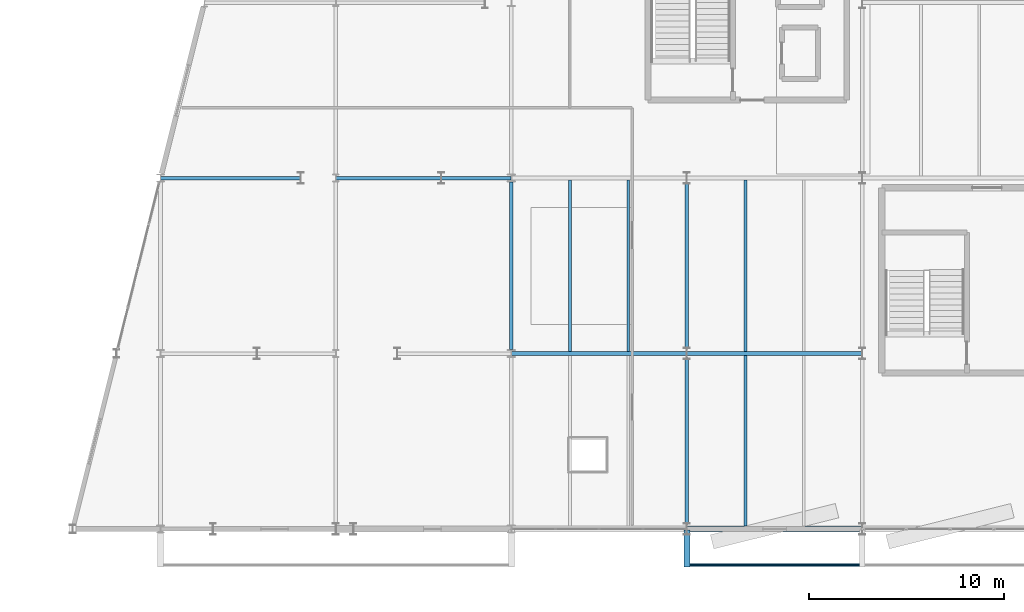
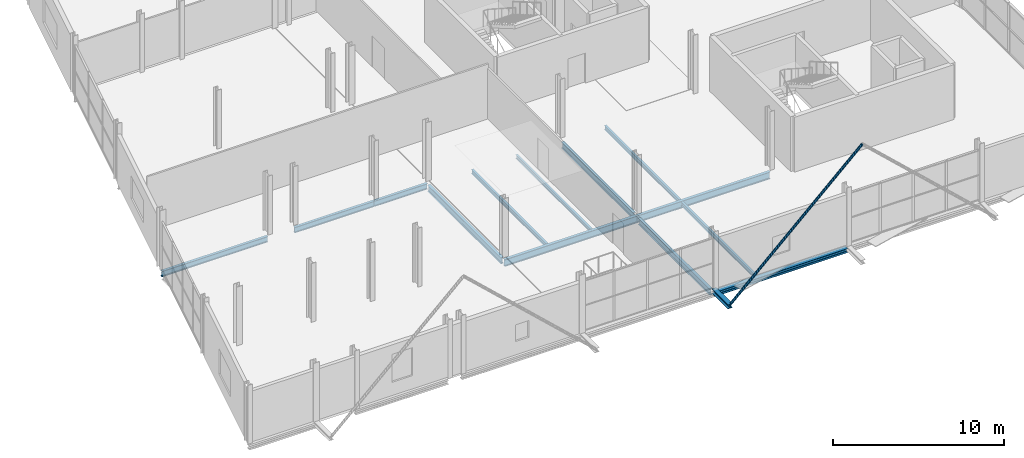
# One storey, part 43 of 103: 14 beams, 1 member.
"""IFC4 building model written with IfcOpenShell, lengths in metres."""

from ifc_helpers import new_model, si_unit, direction, frame, origin, origin_2d, place, context, subcontext, project, spatial, hollow_circle, i_section, extrude, material, material_profile, profile_set, type_object, element, save


model = new_model("IFC4")

# Units and contexts
model_context = context("Model", 3, precision=1e-05, world=origin(), true_north=direction((0.0, 1.0)))
body_context = subcontext(model_context, "Body", "Model", "MODEL_VIEW")
ifc_project = project(units=[si_unit("LENGTHUNIT", "METRE"), si_unit("AREAUNIT", "SQUARE_METRE"), si_unit("VOLUMEUNIT", "CUBIC_METRE"), si_unit("PLANEANGLEUNIT", "RADIAN"), si_unit("MASSUNIT", "GRAM", prefix="KILO")], contexts=[model_context])

# Site, building, storey
site_placement = place(None, origin())
site = spatial("IfcSite", under=ifc_project, at=site_placement, CompositionType="ELEMENT")
building_placement = place(site_placement, origin())
building = spatial("IfcBuilding", under=site, at=building_placement, Name="Deido Ridge Mobility Hub", CompositionType="ELEMENT")
storey_placement = place(building_placement, frame((0.0, 0.0, 12.60009765625)))
storey = spatial("IfcBuildingStorey", under=building, at=storey_placement, Name="L03", CompositionType="ELEMENT", Elevation=12.60009765625)

# Beams
ifc_material_1 = material(Name="Steel S355J2 EN 10025-2", Category="steel")
ifc_material_profile_1 = material_profile(ifc_material_1, i_section(OverallWidth=0.179931640625, OverallDepth=0.39990234375, WebThickness=0.008544921875, FlangeThickness=0.013427734375, FilletRadius=0.02099609375, at=origin_2d()), Name="IPE 400")
ifc_profile_set_1 = profile_set([ifc_material_profile_1], Name="Steel S355J2 EN 10025-2")
beam_type_1 = type_object("IfcBeamType", Name="BM-IPE400", PredefinedType="BEAM", material=ifc_profile_set_1)
beam_1_placement = place(storey_placement, frame((126.0087890625, 18.0, -0.465087890625), z_axis=(1.0, 0.0, 0.0), x_axis=(0.0, 1.0, 0.0)))
element("IfcBeam", 1, at=beam_1_placement, inside=storey, type_object=beam_type_1, Name="Floor beam B5", PredefinedType="BEAM", context=body_context, shape_type="SweptSolid", body=[
    extrude(i_section(OverallWidth=0.179931640625, OverallDepth=0.39990234375, WebThickness=0.008544921875, FlangeThickness=0.013427734375, FilletRadius=0.02099609375, at=origin_2d()), origin(), (0.0, 0.0, 1.0), 7.18359375),
])
beam_2_placement = place(storey_placement, frame((135.0068359375, 18.0, -0.465087890625), z_axis=(1.0, 0.0, 0.0), x_axis=(0.0, 1.0, 0.0)))
element("IfcBeam", 2, at=beam_2_placement, inside=storey, type_object=beam_type_1, Name="Floor beam B5", PredefinedType="BEAM", context=body_context, shape_type="SweptSolid", body=[
    extrude(i_section(OverallWidth=0.179931640625, OverallDepth=0.39990234375, WebThickness=0.008544921875, FlangeThickness=0.013427734375, FilletRadius=0.02099609375, at=origin_2d()), origin(), (0.0, 0.0, 1.0), 5.385498046875),
])
beam_3_placement = place(storey_placement, frame((140.40771484375, 18.0, -0.465087890625), z_axis=(1.0, 0.0, 0.0), x_axis=(0.0, 1.0, 0.0)))
element("IfcBeam", 3, at=beam_3_placement, inside=storey, type_object=beam_type_1, Name="Floor beam B5", PredefinedType="BEAM", context=body_context, shape_type="SweptSolid", body=[
    extrude(i_section(OverallWidth=0.179931640625, OverallDepth=0.39990234375, WebThickness=0.008544921875, FlangeThickness=0.013427734375, FilletRadius=0.02099609375, at=origin_2d()), origin(), (0.0, 0.0, 1.0), 3.58349609375),
])
ifc_material_profile_2 = material_profile(ifc_material_1, i_section(OverallWidth=0.18994140625, OverallDepth=0.449951171875, WebThickness=0.009521484375, FlangeThickness=0.0146484375, FilletRadius=0.02099609375, at=origin_2d()), Name="IPE 450")
ifc_profile_set_2 = profile_set([ifc_material_profile_2], Name="Steel S355J2 EN 10025-2")
beam_type_2 = type_object("IfcBeamType", Name="BM-IPE450", PredefinedType="BEAM", material=ifc_profile_set_2)
beam_4_placement = place(storey_placement, frame((144.0, 9.196533203125, -0.489990234375), z_axis=(0.0, 1.0, 0.0), x_axis=(-1.0, 0.0, 0.0)))
element("IfcBeam", 4, at=beam_4_placement, inside=storey, type_object=beam_type_2, Name="Floor beam B4", PredefinedType="BEAM", context=body_context, shape_type="SweptSolid", body=[
    extrude(i_section(OverallWidth=0.18994140625, OverallDepth=0.449951171875, WebThickness=0.009521484375, FlangeThickness=0.0146484375, FilletRadius=0.02099609375, at=origin_2d()), origin(), (0.0, 0.0, 1.0), 8.60693359375),
])
for number, where, z_axis, x_axis, name in (
    (5, (153.0, 0.300048828125, -0.489990234375), (0.0, 1.0, 0.0), (-1.0, 0.0, 0.0), "Floor beam B4"),
    (6, (153.0, 9.300048828125, -0.489990234375), (0.0, 1.0, 0.0), (-1.0, 0.0, 0.0), "Floor beam B4"),
):
    element("IfcBeam", number, at=place(storey_placement, frame(where, z_axis=z_axis, x_axis=x_axis)), inside=storey, type_object=beam_type_2, Name=name, PredefinedType="BEAM", context=body_context, shape_type="SweptSolid", body=[
        extrude(i_section(OverallWidth=0.18994140625, OverallDepth=0.449951171875, WebThickness=0.009521484375, FlangeThickness=0.0146484375, FilletRadius=0.02099609375, at=origin_2d()), origin(), (0.0, 0.0, 1.0), 8.39990234375),
    ])
ifc_material_profile_3 = material_profile(ifc_material_1, i_section(OverallWidth=0.199951171875, OverallDepth=0.5, WebThickness=0.01025390625, FlangeThickness=0.01611328125, FilletRadius=0.02099609375, at=origin_2d()), Name="IPE 500")
ifc_profile_set_3 = profile_set([ifc_material_profile_3], Name="Steel S355J2 EN 10025-2")
beam_type_3 = type_object("IfcBeamType", Name="BM-IPE500", PredefinedType="BEAM", material=ifc_profile_set_3)
beam_5_placement = place(storey_placement, frame((144.0087890625, 9.0, -0.51513671875), z_axis=(1.0, 0.0, 0.0), x_axis=(0.0, 1.0, 0.0)))
element("IfcBeam", 7, at=beam_5_placement, inside=storey, type_object=beam_type_3, Name="Floor beam B3", PredefinedType="BEAM", context=body_context, shape_type="SweptSolid", body=[
    extrude(i_section(OverallWidth=0.199951171875, OverallDepth=0.5, WebThickness=0.01025390625, FlangeThickness=0.01611328125, FilletRadius=0.02099609375, at=origin_2d()), origin(), (0.0, 0.0, 1.0), 8.9833984375),
])
beam_6_placement = place(storey_placement, frame((153.0078125, 9.0, -0.51513671875), z_axis=(1.0, 0.0, 0.0), x_axis=(0.0, 1.0, 0.0)))
element("IfcBeam", 8, at=beam_6_placement, inside=storey, type_object=beam_type_3, Name="Floor beam B3", PredefinedType="BEAM", context=body_context, shape_type="SweptSolid", body=[
    extrude(i_section(OverallWidth=0.199951171875, OverallDepth=0.5, WebThickness=0.01025390625, FlangeThickness=0.01611328125, FilletRadius=0.02099609375, at=origin_2d()), origin(), (0.0, 0.0, 1.0), 8.984375),
])
ifc_material_profile_4 = material_profile(ifc_material_1, i_section(OverallWidth=0.135009765625, OverallDepth=0.27001953125, WebThickness=0.006591796875, FlangeThickness=0.01025390625, FilletRadius=0.014892578125, at=origin_2d()), Name="IPE 270")
ifc_profile_set_4 = profile_set([ifc_material_profile_4], Name="Steel S355J2 EN 10025-2")
beam_type_4 = type_object("IfcBeamType", Name="JST-IPE270", PredefinedType="JOIST", material=ifc_profile_set_4)
beam_7_placement = place(storey_placement, frame((150.0, 9.10009765625, -0.400146484375), z_axis=(0.0, 1.0, 0.0), x_axis=(-1.0, 0.0, 0.0)))
element("IfcBeam", 9, at=beam_7_placement, inside=storey, type_object=beam_type_4, Name="Composite joist J4", PredefinedType="JOIST", context=body_context, shape_type="SweptSolid", body=[
    extrude(i_section(OverallWidth=0.135009765625, OverallDepth=0.27001953125, WebThickness=0.006591796875, FlangeThickness=0.01025390625, FilletRadius=0.014892578125, at=origin_2d()), origin(), (0.0, 0.0, 1.0), 8.7998046875),
])
ifc_material_profile_5 = material_profile(ifc_material_1, i_section(OverallWidth=0.14990234375, OverallDepth=0.300048828125, WebThickness=0.007080078125, FlangeThickness=0.0107421875, FilletRadius=0.014892578125, at=origin_2d()), Name="IPE 300")
ifc_profile_set_5 = profile_set([ifc_material_profile_5], Name="Steel S355J2 EN 10025-2")
beam_type_5 = type_object("IfcBeamType", Name="JST-IPE300", PredefinedType="JOIST", material=ifc_profile_set_5)
beam_8_placement = place(storey_placement, frame((156.0, 0.14990234375, -0.4150390625), z_axis=(0.0, 1.0, 0.0), x_axis=(-1.0, 0.0, 0.0)))
element("IfcBeam", 10, at=beam_8_placement, inside=storey, type_object=beam_type_5, Name="Composite joist J3", PredefinedType="JOIST", context=body_context, shape_type="SweptSolid", body=[
    extrude(i_section(OverallWidth=0.14990234375, OverallDepth=0.300048828125, WebThickness=0.007080078125, FlangeThickness=0.0107421875, FilletRadius=0.014892578125, at=origin_2d()), origin(), (0.0, 0.0, 1.0), 8.75),
])
for number, where, z_axis, x_axis, name in (
    (11, (147.0, 9.10009765625, -0.4150390625), (0.0, 1.0, 0.0), (-1.0, 0.0, 0.0), "Composite joist J3"),
    (12, (156.0, 9.10009765625, -0.4150390625), (0.0, 1.0, 0.0), (-1.0, 0.0, 0.0), "Composite joist J3"),
):
    element("IfcBeam", number, at=place(storey_placement, frame(where, z_axis=z_axis, x_axis=x_axis)), inside=storey, type_object=beam_type_5, Name=name, PredefinedType="JOIST", context=body_context, shape_type="SweptSolid", body=[
        extrude(i_section(OverallWidth=0.14990234375, OverallDepth=0.300048828125, WebThickness=0.007080078125, FlangeThickness=0.0107421875, FilletRadius=0.014892578125, at=origin_2d()), origin(), (0.0, 0.0, 1.0), 8.7998046875),
    ])

# Member
ifc_material_2 = material(Name="Steel S355J2H EN 10210-1", Category="steel")
ifc_material_profile_6 = material_profile(ifc_material_2, hollow_circle(Radius=0.084228515625, WallThickness=0.008056640625, at=origin_2d()), Name="CHS 168.3x8")
ifc_profile_set_6 = profile_set([ifc_material_profile_6], Name="Steel S355J2H EN 10210-1")
member_type = type_object("IfcMemberType", Name="MEM-STR-CHS168", PredefinedType="STRUT", material=ifc_profile_set_6)
member_placement = place(storey_placement, frame((153.0, -1.85009765625, -0.150146484375), z_axis=(0.731049333052, 0.0, 0.682324609438), x_axis=(0.0, 1.0, 0.0)))
element("IfcMember", 13, at=member_placement, inside=storey, type_object=member_type, Name="Deconstructivist facade diagrid strut SR1", PredefinedType="STRUT", context=body_context, shape_type="SweptSolid", body=[
    extrude(hollow_circle(Radius=0.084228515625, WallThickness=0.008056640625, at=origin_2d()), origin(), (0.0, 0.0, 1.0), 12.31103515625),
])

# Beams
ifc_material_profile_7 = material_profile(ifc_material_1, i_section(OverallWidth=0.300048828125, OverallDepth=0.300048828125, WebThickness=0.010986328125, FlangeThickness=0.01904296875, FilletRadius=0.027099609375, at=origin_2d()), Name="HEB 300")
ifc_profile_set_7 = profile_set([ifc_material_profile_7], Name="Steel S355J2 EN 10025-2")
beam_type_6 = type_object("IfcBeamType", Name="SPD-HEB300", PredefinedType="SPANDREL", material=ifc_profile_set_7)
beam_9_placement = place(storey_placement, frame((153.0078125, 0.0, -0.4150390625), z_axis=(1.0, 0.0, 0.0), x_axis=(0.0, 1.0, 0.0)))
element("IfcBeam", 14, at=beam_9_placement, inside=storey, type_object=beam_type_6, Name="Floor beam SP1", PredefinedType="SPANDREL", context=body_context, shape_type="SweptSolid", body=[
    extrude(i_section(OverallWidth=0.300048828125, OverallDepth=0.300048828125, WebThickness=0.010986328125, FlangeThickness=0.01904296875, FilletRadius=0.027099609375, at=origin_2d()), origin(), (0.0, 0.0, 1.0), 8.984375),
])
beam_10_placement = place(storey_placement, frame((153.0, -0.050048828125, -0.150146484375), z_axis=(0.0, -1.0, 0.0), x_axis=(1.0, 0.0, 0.0)))
element("IfcBeam", 15, at=beam_10_placement, inside=storey, type_object=beam_type_6, Name="Exoskeleton outrigger beam SP1", PredefinedType="SPANDREL", context=body_context, shape_type="SweptSolid", body=[
    extrude(i_section(OverallWidth=0.300048828125, OverallDepth=0.300048828125, WebThickness=0.010986328125, FlangeThickness=0.01904296875, FilletRadius=0.027099609375, at=origin_2d()), origin(), (0.0, 0.0, 1.0), 1.89990234375),
])

save(model, "model.ifc")
